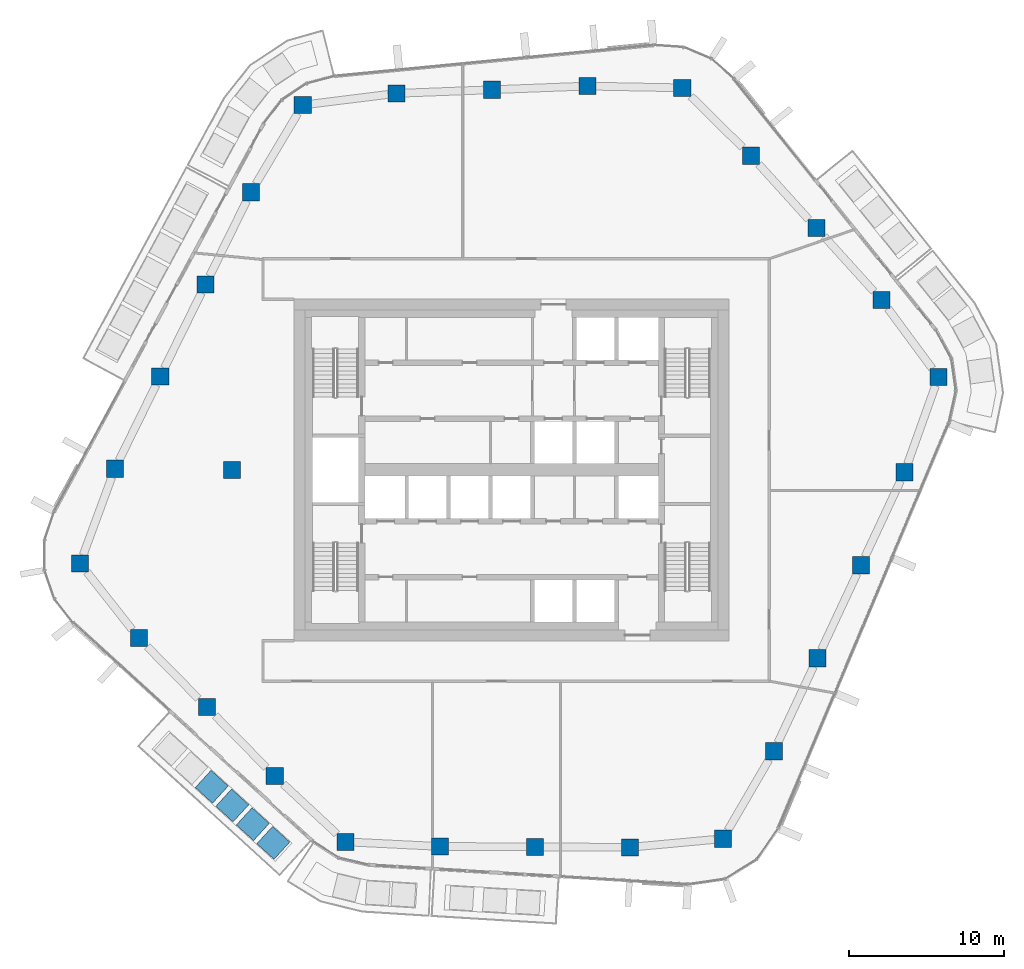
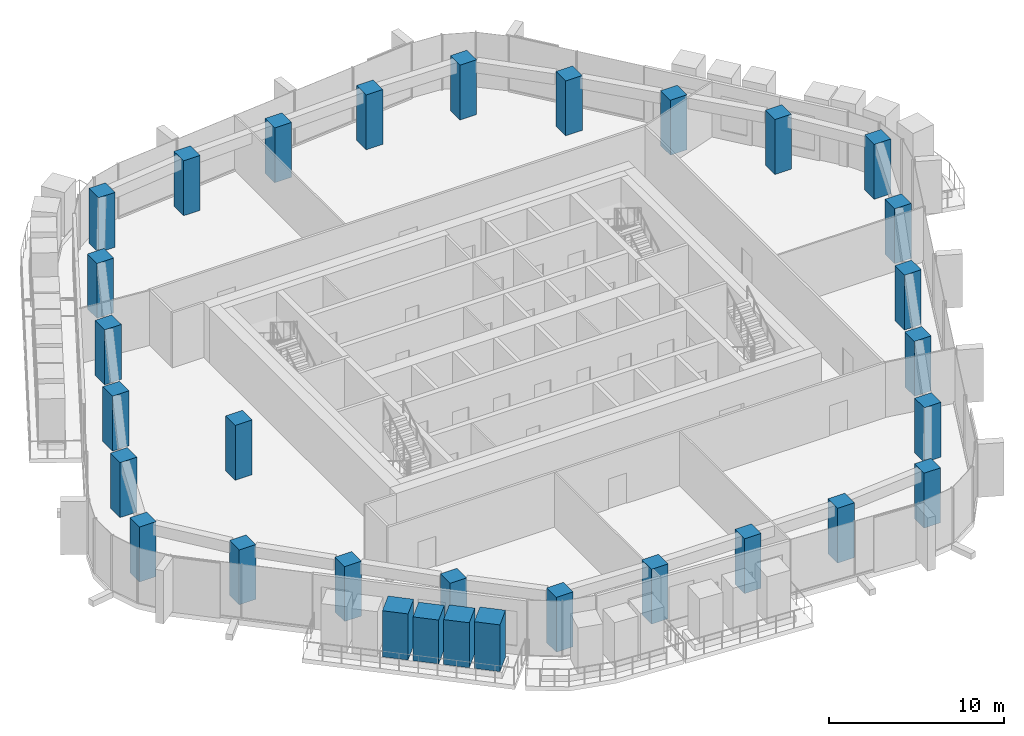
# One storey, part 1 of 20: 27 columns, 4 members.
"""IFC4 building model written with IfcOpenShell, lengths in metres."""

import ifcopenshell
import ifcopenshell.guid

model = None  # the IFC model being written
_history = None  # IfcOwnerHistory: only IFC2X3 demands one
_inside = {}  # id of a spatial element -> (the spatial element, [elements in it])
_under = {}  # id of a project, library or spatial element -> (it, [spatial elements below it])
_declared = {}  # id of a project -> (the project, [libraries it declares])
_typed = {}  # id of a type object -> (the type object, [elements of that type])
_made_of = {}  # id of a material, layer set ... -> (it, [elements and type objects made of it])


def new_model(schema):
    """Start an empty IFC model of exactly this schema.

    Asked for "IFC4X3", IfcOpenShell would pick the latest addendum, in which some entities
    have other attributes; the version numbers below select the first issue.
    IFC2X3 requires an IfcOwnerHistory on every rooted entity: one is made here for all.
    """
    global model, _history
    if schema == "IFC4X3":
        model = ifcopenshell.file(schema_version=(4, 3, 0, 0))
    else:
        model = ifcopenshell.file(schema=schema)
    _inside.clear()
    _under.clear()
    _declared.clear()
    _typed.clear()
    _made_of.clear()
    _history = None
    if model.schema == "IFC2X3":
        org = make("IfcOrganization", Name="unknown")
        user = make(
            "IfcPersonAndOrganization",
            ThePerson=make("IfcPerson", FamilyName="unknown"),
            TheOrganization=org,
        )
        app = make(
            "IfcApplication",
            ApplicationDeveloper=org,
            Version="unknown",
            ApplicationFullName="unknown",
            ApplicationIdentifier="unknown",
        )
        _history = make(
            "IfcOwnerHistory",
            OwningUser=user,
            OwningApplication=app,
            ChangeAction="ADDED",
            CreationDate=0,
        )
    return model


def make(cls, **values):
    """One entity of the class cls with the attributes given. An attribute that is None is left unset."""
    return model.create_entity(
        cls, **{name: value for name, value in values.items() if value is not None}
    )


def rooted(cls, **values):
    """An entity with a GlobalId (a new one), such as an element, a storey or a relation."""
    return make(cls, GlobalId=ifcopenshell.guid.new(), OwnerHistory=_history, **values)


def si_unit(unit_type, name, prefix=None):
    """IfcSIUnit, for example si_unit("LENGTHUNIT", "METRE", prefix="MILLI")."""
    return make("IfcSIUnit", UnitType=unit_type, Prefix=prefix, Name=name)


def assignment(units):
    """IfcUnitAssignment: the units of a project."""
    return None if units is None else make("IfcUnitAssignment", Units=units)


def point(xyz):
    """IfcCartesianPoint."""
    return None if xyz is None else make("IfcCartesianPoint", Coordinates=xyz)


def direction(xyz):
    """IfcDirection."""
    return None if xyz is None else make("IfcDirection", DirectionRatios=xyz)


def frame(location, z_axis=None, x_axis=None):
    """IfcAxis2Placement3D, a coordinate frame: its origin and axes. An axis left out is left unset."""
    return make(
        "IfcAxis2Placement3D",
        Location=point(location),
        Axis=direction(z_axis),
        RefDirection=direction(x_axis),
    )


def frame_2d(location, x_axis=None):
    """IfcAxis2Placement2D, a coordinate frame in the plane: its origin and x axis."""
    return make(
        "IfcAxis2Placement2D", Location=point(location), RefDirection=direction(x_axis)
    )


def origin():
    """The frame at (0, 0, 0) with its axes left unset."""
    return frame((0.0, 0.0, 0.0))


def origin_2d():
    """The frame at (0, 0) in the plane with its x axis left unset."""
    return frame_2d((0.0, 0.0))


def place(relative_to, where):
    """IfcLocalPlacement: puts the frame where relative to a parent placement (None: the world)."""
    return make(
        "IfcLocalPlacement", PlacementRelTo=relative_to, RelativePlacement=where
    )


def context(
    kind, dimensions, precision=None, world=None, true_north=None, identifier=None
):
    """IfcGeometricRepresentationContext, for example the 3D "Model" context."""
    return make(
        "IfcGeometricRepresentationContext",
        ContextIdentifier=identifier,
        ContextType=kind,
        CoordinateSpaceDimension=dimensions,
        Precision=precision,
        WorldCoordinateSystem=world,
        TrueNorth=true_north,
    )


def subcontext(parent, identifier, kind, view, scale=None):
    """IfcGeometricRepresentationSubContext, for example "Body" below "Model"."""
    return make(
        "IfcGeometricRepresentationSubContext",
        ContextIdentifier=identifier,
        ContextType=kind,
        ParentContext=parent,
        TargetScale=scale,
        TargetView=view,
    )


def project(units=None, contexts=None):
    """IfcProject with its units and contexts."""
    return rooted(
        "IfcProject",
        Name="project",
        RepresentationContexts=contexts,
        UnitsInContext=assignment(units),
    )


def spatial(cls, under=None, at=None, **own):
    """A site, building, storey or space (cls), placed at a placement, below another one or the project."""
    s = rooted(cls, ObjectPlacement=at, **own)
    if under is not None:
        _under.setdefault(under.id(), (under, []))[1].append(s)
    return s


def profile(cls, at=None, kind="AREA", **sizes):
    """A parametric profile (cls). Its sizes go by their IFC names, for example OverallWidth=200.0."""
    return make(cls, ProfileType=kind, Position=at, **sizes)


def rectangle(**sizes):
    """IfcRectangleProfileDef."""
    return profile("IfcRectangleProfileDef", **sizes)


def extrude(swept, where, along, depth):
    """IfcExtrudedAreaSolid: the profile swept, set in the frame where, extruded along a direction by depth."""
    return make(
        "IfcExtrudedAreaSolid",
        SweptArea=swept,
        Position=where,
        ExtrudedDirection=direction(along),
        Depth=depth,
    )


def shape(context_of_items, identifier, shape_type, items):
    """IfcShapeRepresentation: the items that make up one representation, for example the "Body"."""
    return make(
        "IfcShapeRepresentation",
        ContextOfItems=context_of_items,
        RepresentationIdentifier=identifier,
        RepresentationType=shape_type,
        Items=items,
    )


def material(Name=None, Category=None):
    """IfcMaterial."""
    return make("IfcMaterial", Name=Name, Category=Category)


def material_profile(
    of_material, cross_section, Name=None, Category=None, Priority=None
):
    """IfcMaterialProfile: a cross section and its material."""
    return make(
        "IfcMaterialProfile",
        Name=Name,
        Material=of_material,
        Profile=cross_section,
        Priority=Priority,
        Category=Category,
    )


def profile_set(profiles, Name=None, composite=None):
    """IfcMaterialProfileSet."""
    return make(
        "IfcMaterialProfileSet",
        Name=Name,
        MaterialProfiles=profiles,
        CompositeProfile=composite,
    )


def made_of(thing, what):
    """Note that an element or type object is made of a material, layer set ...; save() writes the relation."""
    if what is not None:
        _made_of.setdefault(what.id(), (what, []))[1].append(thing)
    return thing


def type_object(cls, material=None, **own):
    """A type object (cls), such as IfcWallType, which elements share."""
    return made_of(rooted(cls, **own), material)


def element(
    cls,
    number,
    at=None,
    inside=None,
    cuts=None,
    type_object=None,
    material=None,
    context=None,
    identifier="Body",
    shape_type=None,
    held_by="IfcProductDefinitionShape",
    body=None,
    shapes=None,
    **own,
):
    """One element of the class cls, such as IfcWall. Its Tag is "e" and its number.

    at: its placement. inside: the storey or other place that contains it. cuts: it is an
    opening in that element (IfcRelVoidsElement). A single representation is given by context,
    identifier, shape_type and body (its items); several are given by shapes. held_by: the class
    of the entity that holds the representations. save() writes the other relations.
    """
    e = rooted(cls, Tag="e%d" % number, ObjectPlacement=at, **own)
    if body is not None:
        shapes = [shape(context, identifier, shape_type, body)]
    if shapes is not None:
        e.Representation = make(held_by, Representations=shapes)
    if inside is not None:
        _inside.setdefault(inside.id(), (inside, []))[1].append(e)
    if cuts is not None:
        rooted(
            "IfcRelVoidsElement", RelatingBuildingElement=cuts, RelatedOpeningElement=e
        )
    if type_object is not None:
        _typed.setdefault(type_object.id(), (type_object, []))[1].append(e)
    return made_of(e, material)


def aggregate(whole, parts):
    """IfcRelAggregates: a whole, such as a stair, and the parts it consists of."""
    return rooted("IfcRelAggregates", RelatingObject=whole, RelatedObjects=parts)


def save(model, path):
    """Write the relations noted so far, then the file.

    IfcRelAggregates (storeys below a building ...), IfcRelContainedInSpatialStructure (elements
    in a storey), IfcRelDefinesByType, IfcRelAssociatesMaterial and IfcRelDeclares: one each for
    every whole, place, type object, material and project.
    """
    for whole, parts in _under.values():
        aggregate(whole, parts)
    for where, things in _inside.values():
        rooted(
            "IfcRelContainedInSpatialStructure",
            RelatedElements=things,
            RelatingStructure=where,
        )
    for kind, things in _typed.values():
        rooted("IfcRelDefinesByType", RelatedObjects=things, RelatingType=kind)
    for what, things in _made_of.values():
        rooted("IfcRelAssociatesMaterial", RelatedObjects=things, RelatingMaterial=what)
    for by, libraries in _declared.values():
        rooted("IfcRelDeclares", RelatingContext=by, RelatedDefinitions=libraries)
    model.write(path)


model = new_model("IFC4")

# Units and contexts
model_context = context("Model", 3, precision=1e-05, world=origin(), true_north=direction((0.0, 1.0)))
body_context = subcontext(model_context, "Body", "Model", "MODEL_VIEW")
ifc_project = project(units=[si_unit("LENGTHUNIT", "METRE"), si_unit("AREAUNIT", "SQUARE_METRE"), si_unit("VOLUMEUNIT", "CUBIC_METRE"), si_unit("PLANEANGLEUNIT", "RADIAN"), si_unit("MASSUNIT", "GRAM", prefix="KILO")], contexts=[model_context])

# Site, building, storey
site_placement = place(None, origin())
site = spatial("IfcSite", under=ifc_project, at=site_placement, CompositionType="ELEMENT")
building_placement = place(site_placement, origin())
building = spatial("IfcBuilding", under=site, at=building_placement, Name="Dongbaek Canopy Tower", CompositionType="ELEMENT")
storey_placement = place(building_placement, frame((0.0, 0.0, 258.0)))
storey = spatial("IfcBuildingStorey", under=building, at=storey_placement, Name="L54", CompositionType="ELEMENT", Elevation=258.0)

# Columns
ifc_material_1 = material(Name="Concrete C70", Category="concrete")
ifc_material_profile_1 = material_profile(ifc_material_1, rectangle(XDim=1.10009765625, YDim=1.10009765625, at=origin_2d()), Name="RC COLUMN 1100x1100 C70")
ifc_profile_set_1 = profile_set([ifc_material_profile_1], Name="Concrete C70")
column_type = type_object("IfcColumnType", Name="RC COLUMN 1100x1100 C70", PredefinedType="COLUMN", material=ifc_profile_set_1)
for number, where, z_axis, x_axis, name in (
    (1, (13.612060546875, -23.74609375, 0.0), (0.0, 0.0, 1.0), (1.0, 0.0, 0.0), "COL:CZ4-01:L54"),
    (2, (7.615966796875, -24.300048828125, 0.0), (0.0, 0.0, 1.0), (1.0, 0.0, 0.0), "COL:CZ4-02:L54"),
    (3, (1.501953125, -24.27197265625, 0.0), (0.0, 0.0, 1.0), (1.0, 0.0, 0.0), "COL:CZ4-03:L54"),
    (4, (-4.611083984375, -24.24609375, 0.0), (0.0, 0.0, 1.0), (1.0, 0.0, 0.0), "COL:CZ4-04:L54"),
    (5, (-10.697021484375, -23.946044921875, 0.0), (0.0, 0.0, 1.0), (1.0, 0.0, 0.0), "COL:CZ4-05:L54"),
    (6, (-15.2470703125, -19.714111328125, 0.0), (0.0, 0.0, 1.0), (1.0, 0.0, 0.0), "COL:CZ4-06:L54"),
    (7, (-19.6220703125, -15.27197265625, 0.0), (0.0, 0.0, 1.0), (1.0, 0.0, 0.0), "COL:CZ4-07:L54"),
    (8, (-23.9970703125, -10.8291015625, 0.0), (0.0, 0.0, 1.0), (1.0, 0.0, 0.0), "COL:CZ4-08:L54"),
    (9, (-27.781982421875, -6.02001953125, 0.0), (0.0, 0.0, 1.0), (1.0, 0.0, 0.0), "COL:CZ4-09:L54"),
    (10, (-25.5400390625, 0.075927734375, 0.0), (0.0, 0.0, 1.0), (1.0, 0.0, 0.0), "COL:CZ4-10:L54"),
    (11, (-22.62109375, 6.010986328125, 0.0), (0.0, 0.0, 1.0), (1.0, 0.0, 0.0), "COL:CZ4-11:L54"),
    (12, (-19.701904296875, 11.945068359375, 0.0), (0.0, 0.0, 1.0), (1.0, 0.0, 0.0), "COL:CZ4-12:L54"),
    (13, (-16.783935546875, 17.8779296875, 0.0), (0.0, 0.0, 1.0), (1.0, 0.0, 0.0), "COL:CZ4-13:L54"),
    (14, (-13.44189453125, 23.490966796875, 0.0), (0.0, 0.0, 1.0), (1.0, 0.0, 0.0), "COL:CZ4-14:L54"),
    (15, (-7.4150390625, 24.242919921875, 0.0), (0.0, 0.0, 1.0), (1.0, 0.0, 0.0), "COL:CZ4-15:L54"),
    (16, (-1.26611328125, 24.47900390625, 0.0), (0.0, 0.0, 1.0), (1.0, 0.0, 0.0), "COL:CZ4-16:L54"),
    (17, (4.883056640625, 24.714111328125, 0.0), (0.0, 0.0, 1.0), (1.0, 0.0, 0.0), "COL:CZ4-17:L54"),
    (18, (10.989990234375, 24.59912109375, 0.0), (0.0, 0.0, 1.0), (1.0, 0.0, 0.0), "COL:CZ4-18:L54"),
    (19, (15.41796875, 20.22900390625, 0.0), (0.0, 0.0, 1.0), (1.0, 0.0, 0.0), "COL:CZ4-19:L54"),
    (20, (19.625, 15.583984375, 0.0), (0.0, 0.0, 1.0), (1.0, 0.0, 0.0), "COL:CZ4-20:L54"),
    (21, (23.8310546875, 10.93896484375, 0.0), (0.0, 0.0, 1.0), (1.0, 0.0, 0.0), "COL:CZ4-21:L54"),
    (22, (27.491943359375, 5.97705078125, 0.0), (0.0, 0.0, 1.0), (1.0, 0.0, 0.0), "COL:CZ4-22:L54"),
    (23, (25.302001953125, -0.152099609375, 0.0), (0.0, 0.0, 1.0), (1.0, 0.0, 0.0), "COL:CZ4-23:L54"),
    (24, (22.4990234375, -6.138916015625, 0.0), (0.0, 0.0, 1.0), (1.0, 0.0, 0.0), "COL:CZ4-24:L54"),
    (25, (19.695068359375, -12.126953125, 0.0), (0.0, 0.0, 1.0), (1.0, 0.0, 0.0), "COL:CZ4-25:L54"),
    (26, (16.889892578125, -18.114013671875, 0.0), (0.0, 0.0, 1.0), (1.0, 0.0, 0.0), "COL:CZ4-26:L54"),
    (27, (-18.0, 0.0, 0.0), (0.0, 0.0, 1.0), (1.0, 0.0, 0.0), "COL:CIZ4-01:L54"),
):
    element("IfcColumn", number, at=place(storey_placement, frame(where, z_axis=z_axis, x_axis=x_axis)), inside=storey, type_object=column_type, Name=name, PredefinedType="COLUMN", context=body_context, shape_type="SweptSolid", body=[
        extrude(rectangle(XDim=1.10009765625, YDim=1.10009765625, at=origin_2d()), origin(), (0.0, 0.0, 1.0), 3.820068359375),
    ])

# Members
ifc_material_2 = material(Name="Concrete C40/50 planter mass with planting", Category="concrete")
ifc_material_profile_2 = material_profile(ifc_material_2, rectangle(XDim=1.5, YDim=1.5, at=origin_2d()), Name="Terrace PLANTER shrub mass 1500 x 1500")
ifc_profile_set_2 = profile_set([ifc_material_profile_2], Name="Concrete C40/50 planter mass with planting")
member_type = type_object("IfcMemberType", Name="Terrace PLANTER shrub mass 1500 x 1500", PredefinedType="USERDEFINED", material=ifc_profile_set_2)
member_1_placement = place(storey_placement, frame((-19.299072265625, -20.401123046875, 0.419921875), z_axis=(0.0, 0.0, 1.0), x_axis=(-0.673879336739, -0.738841417028, 0.0)))
element("IfcMember", 28, at=member_1_placement, inside=storey, type_object=member_type, Name="Planter shrubs L54 3.3", ObjectType="PLANTER", PredefinedType="USERDEFINED", context=body_context, shape_type="SweptSolid", body=[
    extrude(rectangle(XDim=1.5, YDim=1.5, at=origin_2d()), origin(), (0.0, 0.0, 1.0), 3.2099609375),
])
member_2_placement = place(storey_placement, frame((-17.978759765625, -21.60546875, 0.419921875), z_axis=(0.0, 0.0, 1.0), x_axis=(-0.673879336739, -0.738841417028, 0.0)))
element("IfcMember", 29, at=member_2_placement, inside=storey, type_object=member_type, Name="Planter shrubs L54 3.4", ObjectType="PLANTER", PredefinedType="USERDEFINED", context=body_context, shape_type="SweptSolid", body=[
    extrude(rectangle(XDim=1.5, YDim=1.5, at=origin_2d()), origin(), (0.0, 0.0, 1.0), 3.050048828125),
])
member_3_placement = place(storey_placement, frame((-16.658447265625, -22.8095703125, 0.419921875), z_axis=(0.0, 0.0, 1.0), x_axis=(-0.673879336739, -0.738841417028, 0.0)))
element("IfcMember", 30, at=member_3_placement, inside=storey, type_object=member_type, Name="Planter shrubs L54 3.5", ObjectType="PLANTER", PredefinedType="USERDEFINED", context=body_context, shape_type="SweptSolid", body=[
    extrude(rectangle(XDim=1.5, YDim=1.5, at=origin_2d()), origin(), (0.0, 0.0, 1.0), 3.130126953125),
])
member_4_placement = place(storey_placement, frame((-15.338134765625, -24.013916015625, 0.419921875), z_axis=(0.0, 0.0, 1.0), x_axis=(-0.673879336739, -0.738841417028, 0.0)))
element("IfcMember", 31, at=member_4_placement, inside=storey, type_object=member_type, Name="Planter shrubs L54 3.6", ObjectType="PLANTER", PredefinedType="USERDEFINED", context=body_context, shape_type="SweptSolid", body=[
    extrude(rectangle(XDim=1.5, YDim=1.5, at=origin_2d()), origin(), (0.0, 0.0, 1.0), 3.25),
])

save(model, "model.ifc")
